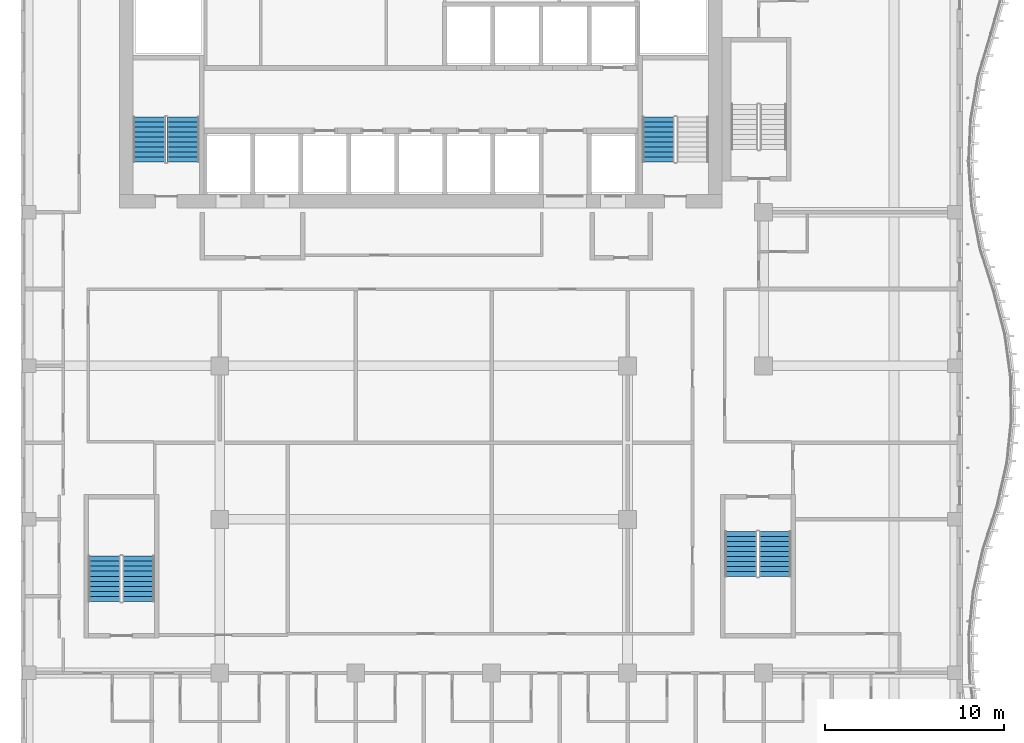
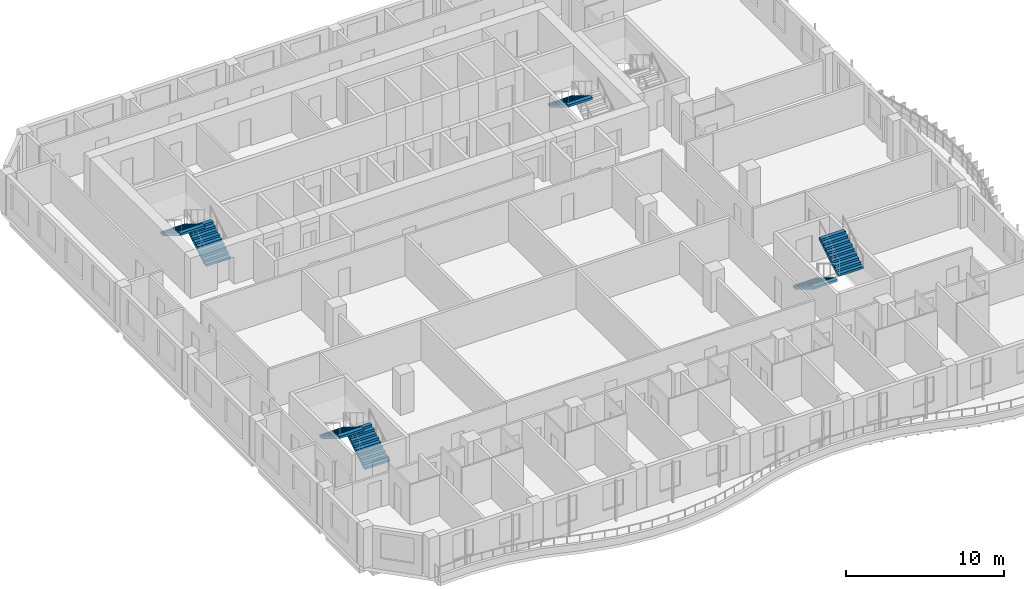
# One storey, part 12 of 22: 7 stair flights, 4 elements without a shape of their own.
"""IFC4 building model written with IfcOpenShell, lengths in metres."""

from ifc_helpers import new_model, si_unit, direction, frame, origin, place, context, subcontext, project, spatial, triangles, source, transform, mapped, material, type_object, element, aggregate, save


model = new_model("IFC4")

# Units and contexts
model_context = context("Model", 3, precision=1e-05, world=origin(), true_north=direction((0.0, 1.0)))
body_context = subcontext(model_context, "Body", "Model", "MODEL_VIEW")
ifc_project = project(units=[si_unit("LENGTHUNIT", "METRE"), si_unit("AREAUNIT", "SQUARE_METRE"), si_unit("VOLUMEUNIT", "CUBIC_METRE"), si_unit("PLANEANGLEUNIT", "RADIAN"), si_unit("MASSUNIT", "GRAM", prefix="KILO")], contexts=[model_context])

# Site, building, storey
site_placement = place(None, origin())
site = spatial("IfcSite", under=ifc_project, at=site_placement, CompositionType="ELEMENT")
building_placement = place(site_placement, origin())
building = spatial("IfcBuilding", under=site, at=building_placement, Name="Kilnfold Tower and Market Hall", CompositionType="ELEMENT")
storey_placement = place(building_placement, frame((0.0, 0.0, 206.699951171875)))
storey = spatial("IfcBuildingStorey", under=building, at=storey_placement, Name="L50", CompositionType="ELEMENT", Elevation=206.699951171875)

# Stair, stair flights
ifc_material_1 = material(Name="Concrete C40/50", Category="concrete")
stair_type = type_object("IfcStairType", Name="CORE STAIR 1800", PredefinedType="HALF_TURN_STAIR", material=ifc_material_1)
stair_1_placement = place(storey_placement, origin())
stair_1 = element("IfcStair", 1, at=stair_1_placement, inside=storey, type_object=stair_type, Name="L50 ST1", PredefinedType="HALF_TURN_STAIR")
ifc_material_2 = material(Name="Concrete C40/50", Category="concrete")
stair_flight_type = type_object("IfcStairFlightType", Name="CORE STAIR FLIGHT 1800", PredefinedType="STRAIGHT", material=ifc_material_2)
shared_shape = source(origin(), body_context, "Body", "Tessellation", [
    triangles([(0.0, 0.89990234375, 0.0), (0.0, 0.78759765625, 0.0), (0.0, 0.675048828125, 0.0), (0.0, 0.5625, 0.0), (0.0, 0.449951171875, 0.0), (0.0, 0.33740234375, 0.0), (0.0, 0.22509765625, 0.0), (0.0, 0.112548828125, 0.0), (0.0, 0.0, 0.0), (0.0, -0.112548828125, 0.0), (0.0, -0.22509765625, 0.0), (0.0, -0.33740234375, 0.0), (0.0, -0.449951171875, 0.0), (0.0, -0.5625, 0.0), (0.0, -0.675048828125, 0.0), (0.0, -0.78759765625, 0.0), (0.0, -0.89990234375, 0.0), (0.0, 0.89990234375, 0.169921875), (0.0, 0.78759765625, 0.169921875), (0.0, 0.675048828125, 0.169921875), (0.0, 0.5625, 0.169921875), (0.0, 0.449951171875, 0.169921875), (0.0, 0.33740234375, 0.169921875), (0.0, 0.22509765625, 0.169921875), (0.0, 0.112548828125, 0.169921875), (0.0, 0.0, 0.169921875), (0.0, -0.112548828125, 0.169921875), (0.0, -0.22509765625, 0.169921875), (0.0, -0.33740234375, 0.169921875), (0.0, -0.449951171875, 0.169921875), (0.0, -0.5625, 0.169921875), (0.0, -0.675048828125, 0.169921875), (0.0, -0.78759765625, 0.169921875), (0.0, -0.89990234375, 0.169921875), (0.280029296875, 0.89990234375, 0.169921875), (0.280029296875, 0.78759765625, 0.169921875), (0.280029296875, 0.675048828125, 0.169921875), (0.280029296875, 0.5625, 0.169921875), (0.280029296875, 0.449951171875, 0.169921875), (0.280029296875, 0.33740234375, 0.169921875), (0.280029296875, 0.22509765625, 0.169921875), (0.280029296875, 0.112548828125, 0.169921875), (0.280029296875, 0.0, 0.169921875), (0.280029296875, -0.112548828125, 0.169921875), (0.280029296875, -0.22509765625, 0.169921875), (0.280029296875, -0.33740234375, 0.169921875), (0.280029296875, -0.449951171875, 0.169921875), (0.280029296875, -0.5625, 0.169921875), (0.280029296875, -0.675048828125, 0.169921875), (0.280029296875, -0.78759765625, 0.169921875), (0.280029296875, -0.89990234375, 0.169921875), (0.280029296875, 0.89990234375, 0.340087890625), (0.280029296875, 0.78759765625, 0.340087890625), (0.280029296875, 0.675048828125, 0.340087890625), (0.280029296875, 0.5625, 0.340087890625), (0.280029296875, 0.449951171875, 0.340087890625), (0.280029296875, 0.33740234375, 0.340087890625), (0.280029296875, 0.22509765625, 0.340087890625), (0.280029296875, 0.112548828125, 0.340087890625), (0.280029296875, 0.0, 0.340087890625), (0.280029296875, -0.112548828125, 0.340087890625), (0.280029296875, -0.22509765625, 0.340087890625), (0.280029296875, -0.33740234375, 0.340087890625), (0.280029296875, -0.449951171875, 0.340087890625), (0.280029296875, -0.5625, 0.340087890625), (0.280029296875, -0.675048828125, 0.340087890625), (0.280029296875, -0.78759765625, 0.340087890625), (0.280029296875, -0.89990234375, 0.340087890625), (0.56005859375, 0.89990234375, 0.340087890625), (0.56005859375, 0.78759765625, 0.340087890625), (0.56005859375, 0.675048828125, 0.340087890625), (0.56005859375, 0.5625, 0.340087890625), (0.56005859375, 0.449951171875, 0.340087890625), (0.56005859375, 0.33740234375, 0.340087890625), (0.56005859375, 0.22509765625, 0.340087890625), (0.56005859375, 0.112548828125, 0.340087890625), (0.56005859375, 0.0, 0.340087890625), (0.56005859375, -0.112548828125, 0.340087890625), (0.56005859375, -0.22509765625, 0.340087890625), (0.56005859375, -0.33740234375, 0.340087890625), (0.56005859375, -0.449951171875, 0.340087890625), (0.56005859375, -0.5625, 0.340087890625), (0.56005859375, -0.675048828125, 0.340087890625), (0.56005859375, -0.78759765625, 0.340087890625), (0.56005859375, -0.89990234375, 0.340087890625), (0.56005859375, 0.89990234375, 0.510009765625), (0.56005859375, 0.78759765625, 0.510009765625), (0.56005859375, 0.675048828125, 0.510009765625), (0.56005859375, 0.5625, 0.510009765625), (0.56005859375, 0.449951171875, 0.510009765625), (0.56005859375, 0.33740234375, 0.510009765625), (0.56005859375, 0.22509765625, 0.510009765625), (0.56005859375, 0.112548828125, 0.510009765625), (0.56005859375, 0.0, 0.510009765625), (0.56005859375, -0.112548828125, 0.510009765625), (0.56005859375, -0.22509765625, 0.510009765625), (0.56005859375, -0.33740234375, 0.510009765625), (0.56005859375, -0.449951171875, 0.510009765625), (0.56005859375, -0.5625, 0.510009765625), (0.56005859375, -0.675048828125, 0.510009765625), (0.56005859375, -0.78759765625, 0.510009765625), (0.56005859375, -0.89990234375, 0.510009765625), (0.840087890625, 0.89990234375, 0.510009765625), (0.840087890625, 0.78759765625, 0.510009765625), (0.840087890625, 0.675048828125, 0.510009765625), (0.840087890625, 0.5625, 0.510009765625), (0.840087890625, 0.449951171875, 0.510009765625), (0.840087890625, 0.33740234375, 0.510009765625), (0.840087890625, 0.22509765625, 0.510009765625), (0.840087890625, 0.112548828125, 0.510009765625), (0.840087890625, 0.0, 0.510009765625), (0.840087890625, -0.112548828125, 0.510009765625), (0.840087890625, -0.22509765625, 0.510009765625), (0.840087890625, -0.33740234375, 0.510009765625), (0.840087890625, -0.449951171875, 0.510009765625), (0.840087890625, -0.5625, 0.510009765625), (0.840087890625, -0.675048828125, 0.510009765625), (0.840087890625, -0.78759765625, 0.510009765625), (0.840087890625, -0.89990234375, 0.510009765625), (0.840087890625, 0.89990234375, 0.679931640625), (0.840087890625, 0.78759765625, 0.679931640625), (0.840087890625, 0.675048828125, 0.679931640625), (0.840087890625, 0.5625, 0.679931640625), (0.840087890625, 0.449951171875, 0.679931640625), (0.840087890625, 0.33740234375, 0.679931640625), (0.840087890625, 0.22509765625, 0.679931640625), (0.840087890625, 0.112548828125, 0.679931640625), (0.840087890625, 0.0, 0.679931640625), (0.840087890625, -0.112548828125, 0.679931640625), (0.840087890625, -0.22509765625, 0.679931640625), (0.840087890625, -0.33740234375, 0.679931640625), (0.840087890625, -0.449951171875, 0.679931640625), (0.840087890625, -0.5625, 0.679931640625), (0.840087890625, -0.675048828125, 0.679931640625), (0.840087890625, -0.78759765625, 0.679931640625), (0.840087890625, -0.89990234375, 0.679931640625), (1.1201171875, 0.89990234375, 0.679931640625), (1.1201171875, 0.78759765625, 0.679931640625), (1.1201171875, 0.675048828125, 0.679931640625), (1.1201171875, 0.5625, 0.679931640625), (1.1201171875, 0.449951171875, 0.679931640625), (1.1201171875, 0.33740234375, 0.679931640625), (1.1201171875, 0.22509765625, 0.679931640625), (1.1201171875, 0.112548828125, 0.679931640625), (1.1201171875, 0.0, 0.679931640625), (1.1201171875, -0.112548828125, 0.679931640625), (1.1201171875, -0.22509765625, 0.679931640625), (1.1201171875, -0.33740234375, 0.679931640625), (1.1201171875, -0.449951171875, 0.679931640625), (1.1201171875, -0.5625, 0.679931640625), (1.1201171875, -0.675048828125, 0.679931640625), (1.1201171875, -0.78759765625, 0.679931640625), (1.1201171875, -0.89990234375, 0.679931640625), (1.1201171875, 0.89990234375, 0.85009765625), (1.1201171875, 0.78759765625, 0.85009765625), (1.1201171875, 0.675048828125, 0.85009765625), (1.1201171875, 0.5625, 0.85009765625), (1.1201171875, 0.449951171875, 0.85009765625), (1.1201171875, 0.33740234375, 0.85009765625), (1.1201171875, 0.22509765625, 0.85009765625), (1.1201171875, 0.112548828125, 0.85009765625), (1.1201171875, 0.0, 0.85009765625), (1.1201171875, -0.112548828125, 0.85009765625), (1.1201171875, -0.22509765625, 0.85009765625), (1.1201171875, -0.33740234375, 0.85009765625), (1.1201171875, -0.449951171875, 0.85009765625), (1.1201171875, -0.5625, 0.85009765625), (1.1201171875, -0.675048828125, 0.85009765625), (1.1201171875, -0.78759765625, 0.85009765625), (1.1201171875, -0.89990234375, 0.85009765625), (1.39990234375, 0.89990234375, 0.85009765625), (1.39990234375, 0.78759765625, 0.85009765625), (1.39990234375, 0.675048828125, 0.85009765625), (1.39990234375, 0.5625, 0.85009765625), (1.39990234375, 0.449951171875, 0.85009765625), (1.39990234375, 0.33740234375, 0.85009765625), (1.39990234375, 0.22509765625, 0.85009765625), (1.39990234375, 0.112548828125, 0.85009765625), (1.39990234375, 0.0, 0.85009765625), (1.39990234375, -0.112548828125, 0.85009765625), (1.39990234375, -0.22509765625, 0.85009765625), (1.39990234375, -0.33740234375, 0.85009765625), (1.39990234375, -0.449951171875, 0.85009765625), (1.39990234375, -0.5625, 0.85009765625), (1.39990234375, -0.675048828125, 0.85009765625), (1.39990234375, -0.78759765625, 0.85009765625), (1.39990234375, -0.89990234375, 0.85009765625), (1.39990234375, 0.89990234375, 1.02001953125), (1.39990234375, 0.78759765625, 1.02001953125), (1.39990234375, 0.675048828125, 1.02001953125), (1.39990234375, 0.5625, 1.02001953125), (1.39990234375, 0.449951171875, 1.02001953125), (1.39990234375, 0.33740234375, 1.02001953125), (1.39990234375, 0.22509765625, 1.02001953125), (1.39990234375, 0.112548828125, 1.02001953125), (1.39990234375, 0.0, 1.02001953125), (1.39990234375, -0.112548828125, 1.02001953125), (1.39990234375, -0.22509765625, 1.02001953125), (1.39990234375, -0.33740234375, 1.02001953125), (1.39990234375, -0.449951171875, 1.02001953125), (1.39990234375, -0.5625, 1.02001953125), (1.39990234375, -0.675048828125, 1.02001953125), (1.39990234375, -0.78759765625, 1.02001953125), (1.39990234375, -0.89990234375, 1.02001953125), (1.679931640625, 0.89990234375, 1.02001953125), (1.679931640625, 0.78759765625, 1.02001953125), (1.679931640625, 0.675048828125, 1.02001953125), (1.679931640625, 0.5625, 1.02001953125), (1.679931640625, 0.449951171875, 1.02001953125), (1.679931640625, 0.33740234375, 1.02001953125), (1.679931640625, 0.22509765625, 1.02001953125), (1.679931640625, 0.112548828125, 1.02001953125), (1.679931640625, 0.0, 1.02001953125), (1.679931640625, -0.112548828125, 1.02001953125), (1.679931640625, -0.22509765625, 1.02001953125), (1.679931640625, -0.33740234375, 1.02001953125), (1.679931640625, -0.449951171875, 1.02001953125), (1.679931640625, -0.5625, 1.02001953125), (1.679931640625, -0.675048828125, 1.02001953125), (1.679931640625, -0.78759765625, 1.02001953125), (1.679931640625, -0.89990234375, 1.02001953125), (1.679931640625, 0.89990234375, 1.18994140625), (1.679931640625, 0.78759765625, 1.18994140625), (1.679931640625, 0.675048828125, 1.18994140625), (1.679931640625, 0.5625, 1.18994140625), (1.679931640625, 0.449951171875, 1.18994140625), (1.679931640625, 0.33740234375, 1.18994140625), (1.679931640625, 0.22509765625, 1.18994140625), (1.679931640625, 0.112548828125, 1.18994140625), (1.679931640625, 0.0, 1.18994140625), (1.679931640625, -0.112548828125, 1.18994140625), (1.679931640625, -0.22509765625, 1.18994140625), (1.679931640625, -0.33740234375, 1.18994140625), (1.679931640625, -0.449951171875, 1.18994140625), (1.679931640625, -0.5625, 1.18994140625), (1.679931640625, -0.675048828125, 1.18994140625), (1.679931640625, -0.78759765625, 1.18994140625), (1.679931640625, -0.89990234375, 1.18994140625), (1.9599609375, 0.89990234375, 1.18994140625), (1.9599609375, 0.78759765625, 1.18994140625), (1.9599609375, 0.675048828125, 1.18994140625), (1.9599609375, 0.5625, 1.18994140625), (1.9599609375, 0.449951171875, 1.18994140625), (1.9599609375, 0.33740234375, 1.18994140625), (1.9599609375, 0.22509765625, 1.18994140625), (1.9599609375, 0.112548828125, 1.18994140625), (1.9599609375, 0.0, 1.18994140625), (1.9599609375, -0.112548828125, 1.18994140625), (1.9599609375, -0.22509765625, 1.18994140625), (1.9599609375, -0.33740234375, 1.18994140625), (1.9599609375, -0.449951171875, 1.18994140625), (1.9599609375, -0.5625, 1.18994140625), (1.9599609375, -0.675048828125, 1.18994140625), (1.9599609375, -0.78759765625, 1.18994140625), (1.9599609375, -0.89990234375, 1.18994140625), (1.9599609375, 0.89990234375, 1.360107421875), (1.9599609375, 0.78759765625, 1.360107421875), (1.9599609375, 0.675048828125, 1.360107421875), (1.9599609375, 0.5625, 1.360107421875), (1.9599609375, 0.449951171875, 1.360107421875), (1.9599609375, 0.33740234375, 1.360107421875), (1.9599609375, 0.22509765625, 1.360107421875), (1.9599609375, 0.112548828125, 1.360107421875), (1.9599609375, 0.0, 1.360107421875), (1.9599609375, -0.112548828125, 1.360107421875), (1.9599609375, -0.22509765625, 1.360107421875), (1.9599609375, -0.33740234375, 1.360107421875), (1.9599609375, -0.449951171875, 1.360107421875), (1.9599609375, -0.5625, 1.360107421875), (1.9599609375, -0.675048828125, 1.360107421875), (1.9599609375, -0.78759765625, 1.360107421875), (1.9599609375, -0.89990234375, 1.360107421875), (2.239990234375, 0.89990234375, 1.360107421875), (2.239990234375, 0.78759765625, 1.360107421875), (2.239990234375, 0.675048828125, 1.360107421875), (2.239990234375, 0.5625, 1.360107421875), (2.239990234375, 0.449951171875, 1.360107421875), (2.239990234375, 0.33740234375, 1.360107421875), (2.239990234375, 0.22509765625, 1.360107421875), (2.239990234375, 0.112548828125, 1.360107421875), (2.239990234375, 0.0, 1.360107421875), (2.239990234375, -0.112548828125, 1.360107421875), (2.239990234375, -0.22509765625, 1.360107421875), (2.239990234375, -0.33740234375, 1.360107421875), (2.239990234375, -0.449951171875, 1.360107421875), (2.239990234375, -0.5625, 1.360107421875), (2.239990234375, -0.675048828125, 1.360107421875), (2.239990234375, -0.78759765625, 1.360107421875), (2.239990234375, -0.89990234375, 1.360107421875), (2.239990234375, 0.89990234375, 1.530029296875), (2.239990234375, 0.78759765625, 1.530029296875), (2.239990234375, 0.675048828125, 1.530029296875), (2.239990234375, 0.5625, 1.530029296875), (2.239990234375, 0.449951171875, 1.530029296875), (2.239990234375, 0.33740234375, 1.530029296875), (2.239990234375, 0.22509765625, 1.530029296875), (2.239990234375, 0.112548828125, 1.530029296875), (2.239990234375, 0.0, 1.530029296875), (2.239990234375, -0.112548828125, 1.530029296875), (2.239990234375, -0.22509765625, 1.530029296875), (2.239990234375, -0.33740234375, 1.530029296875), (2.239990234375, -0.449951171875, 1.530029296875), (2.239990234375, -0.5625, 1.530029296875), (2.239990234375, -0.675048828125, 1.530029296875), (2.239990234375, -0.78759765625, 1.530029296875), (2.239990234375, -0.89990234375, 1.530029296875), (2.52001953125, 0.89990234375, 1.530029296875), (2.52001953125, 0.78759765625, 1.530029296875), (2.52001953125, 0.675048828125, 1.530029296875), (2.52001953125, 0.5625, 1.530029296875), (2.52001953125, 0.449951171875, 1.530029296875), (2.52001953125, 0.33740234375, 1.530029296875), (2.52001953125, 0.22509765625, 1.530029296875), (2.52001953125, 0.112548828125, 1.530029296875), (2.52001953125, 0.0, 1.530029296875), (2.52001953125, -0.112548828125, 1.530029296875), (2.52001953125, -0.22509765625, 1.530029296875), (2.52001953125, -0.33740234375, 1.530029296875), (2.52001953125, -0.449951171875, 1.530029296875), (2.52001953125, -0.5625, 1.530029296875), (2.52001953125, -0.675048828125, 1.530029296875), (2.52001953125, -0.78759765625, 1.530029296875), (2.52001953125, -0.89990234375, 1.530029296875), (2.52001953125, 0.89990234375, 1.354736328125), (2.52001953125, 0.78759765625, 1.354736328125), (2.52001953125, 0.675048828125, 1.354736328125), (2.52001953125, 0.5625, 1.354736328125), (2.52001953125, 0.449951171875, 1.354736328125), (2.52001953125, 0.33740234375, 1.354736328125), (2.52001953125, 0.22509765625, 1.354736328125), (2.52001953125, 0.112548828125, 1.354736328125), (2.52001953125, 0.0, 1.354736328125), (2.52001953125, -0.112548828125, 1.354736328125), (2.52001953125, -0.22509765625, 1.354736328125), (2.52001953125, -0.33740234375, 1.354736328125), (2.52001953125, -0.449951171875, 1.354736328125), (2.52001953125, -0.5625, 1.354736328125), (2.52001953125, -0.675048828125, 1.354736328125), (2.52001953125, -0.78759765625, 1.354736328125), (2.52001953125, -0.89990234375, 1.354736328125), (0.288818359375, 0.89990234375, 0.0), (0.288818359375, 0.78759765625, 0.0), (0.288818359375, 0.675048828125, 0.0), (0.288818359375, 0.5625, 0.0), (0.288818359375, 0.449951171875, 0.0), (0.288818359375, 0.33740234375, 0.0), (0.288818359375, 0.22509765625, 0.0), (0.288818359375, 0.112548828125, 0.0), (0.288818359375, 0.0, 0.0), (0.288818359375, -0.112548828125, 0.0), (0.288818359375, -0.22509765625, 0.0), (0.288818359375, -0.33740234375, 0.0), (0.288818359375, -0.449951171875, 0.0), (0.288818359375, -0.5625, 0.0), (0.288818359375, -0.675048828125, 0.0), (0.288818359375, -0.78759765625, 0.0), (0.288818359375, -0.89990234375, 0.0)], [[1, 324, 341], [17, 357, 340], [324, 290, 307], [340, 323, 306], [324, 273, 290], [340, 306, 289], [324, 256, 273], [340, 289, 272], [324, 239, 256], [340, 272, 255], [239, 205, 222], [255, 238, 221], [324, 205, 239], [340, 255, 221], [205, 171, 188], [221, 204, 187], [324, 171, 205], [340, 221, 187], [171, 137, 154], [187, 170, 153], [324, 137, 171], [340, 187, 153], [137, 103, 120], [153, 136, 119], [324, 103, 137], [340, 153, 119], [103, 69, 86], [119, 102, 85], [324, 69, 103], [340, 119, 85], [69, 35, 52], [85, 68, 51], [324, 35, 69], [340, 85, 51], [1, 35, 324], [17, 340, 51], [35, 1, 18], [51, 34, 17], [1, 19, 18], [1, 2, 19], [2, 20, 19], [2, 3, 20], [3, 21, 20], [3, 4, 21], [4, 22, 21], [4, 5, 22], [5, 23, 22], [5, 6, 23], [6, 24, 23], [6, 7, 24], [7, 25, 24], [7, 8, 25], [8, 26, 25], [8, 9, 26], [9, 27, 26], [9, 10, 27], [10, 28, 27], [10, 11, 28], [11, 29, 28], [11, 12, 29], [12, 30, 29], [12, 13, 30], [13, 31, 30], [13, 14, 31], [14, 32, 31], [14, 15, 32], [15, 33, 32], [15, 16, 33], [16, 34, 33], [16, 17, 34], [18, 36, 35], [18, 19, 36], [19, 37, 36], [19, 20, 37], [20, 38, 37], [20, 21, 38], [21, 39, 38], [21, 22, 39], [22, 40, 39], [22, 23, 40], [23, 41, 40], [23, 24, 41], [24, 42, 41], [24, 25, 42], [25, 43, 42], [25, 26, 43], [26, 44, 43], [26, 27, 44], [27, 45, 44], [27, 28, 45], [28, 46, 45], [28, 29, 46], [29, 47, 46], [29, 30, 47], [30, 48, 47], [30, 31, 48], [31, 49, 48], [31, 32, 49], [32, 50, 49], [32, 33, 50], [33, 51, 50], [33, 34, 51], [35, 53, 52], [35, 36, 53], [36, 54, 53], [36, 37, 54], [37, 55, 54], [37, 38, 55], [38, 56, 55], [38, 39, 56], [39, 57, 56], [39, 40, 57], [40, 58, 57], [40, 41, 58], [41, 59, 58], [41, 42, 59], [42, 60, 59], [42, 43, 60], [43, 61, 60], [43, 44, 61], [44, 62, 61], [44, 45, 62], [45, 63, 62], [45, 46, 63], [46, 64, 63], [46, 47, 64], [47, 65, 64], [47, 48, 65], [48, 66, 65], [48, 49, 66], [49, 67, 66], [49, 50, 67], [50, 68, 67], [50, 51, 68], [52, 70, 69], [52, 53, 70], [53, 71, 70], [53, 54, 71], [54, 72, 71], [54, 55, 72], [55, 73, 72], [55, 56, 73], [56, 74, 73], [56, 57, 74], [57, 75, 74], [57, 58, 75], [58, 76, 75], [58, 59, 76], [59, 77, 76], [59, 60, 77], [60, 78, 77], [60, 61, 78], [61, 79, 78], [61, 62, 79], [62, 80, 79], [62, 63, 80], [63, 81, 80], [63, 64, 81], [64, 82, 81], [64, 65, 82], [65, 83, 82], [65, 66, 83], [66, 84, 83], [66, 67, 84], [67, 85, 84], [67, 68, 85], [69, 87, 86], [69, 70, 87], [70, 88, 87], [70, 71, 88], [71, 89, 88], [71, 72, 89], [72, 90, 89], [72, 73, 90], [73, 91, 90], [73, 74, 91], [74, 92, 91], [74, 75, 92], [75, 93, 92], [75, 76, 93], [76, 94, 93], [76, 77, 94], [77, 95, 94], [77, 78, 95], [78, 96, 95], [78, 79, 96], [79, 97, 96], [79, 80, 97], [80, 98, 97], [80, 81, 98], [81, 99, 98], [81, 82, 99], [82, 100, 99], [82, 83, 100], [83, 101, 100], [83, 84, 101], [84, 102, 101], [84, 85, 102], [86, 104, 103], [86, 87, 104], [87, 105, 104], [87, 88, 105], [88, 106, 105], [88, 89, 106], [89, 107, 106], [89, 90, 107], [90, 108, 107], [90, 91, 108], [91, 109, 108], [91, 92, 109], [92, 110, 109], [92, 93, 110], [93, 111, 110], [93, 94, 111], [94, 112, 111], [94, 95, 112], [95, 113, 112], [95, 96, 113], [96, 114, 113], [96, 97, 114], [97, 115, 114], [97, 98, 115], [98, 116, 115], [98, 99, 116], [99, 117, 116], [99, 100, 117], [100, 118, 117], [100, 101, 118], [101, 119, 118], [101, 102, 119], [103, 121, 120], [103, 104, 121], [104, 122, 121], [104, 105, 122], [105, 123, 122], [105, 106, 123], [106, 124, 123], [106, 107, 124], [107, 125, 124], [107, 108, 125], [108, 126, 125], [108, 109, 126], [109, 127, 126], [109, 110, 127], [110, 128, 127], [110, 111, 128], [111, 129, 128], [111, 112, 129], [112, 130, 129], [112, 113, 130], [113, 131, 130], [113, 114, 131], [114, 132, 131], [114, 115, 132], [115, 133, 132], [115, 116, 133], [116, 134, 133], [116, 117, 134], [117, 135, 134], [117, 118, 135], [118, 136, 135], [118, 119, 136], [120, 138, 137], [120, 121, 138], [121, 139, 138], [121, 122, 139], [122, 140, 139], [122, 123, 140], [123, 141, 140], [123, 124, 141], [124, 142, 141], [124, 125, 142], [125, 143, 142], [125, 126, 143], [126, 144, 143], [126, 127, 144], [127, 145, 144], [127, 128, 145], [128, 146, 145], [128, 129, 146], [129, 147, 146], [129, 130, 147], [130, 148, 147], [130, 131, 148], [131, 149, 148], [131, 132, 149], [132, 150, 149], [132, 133, 150], [133, 151, 150], [133, 134, 151], [134, 152, 151], [134, 135, 152], [135, 153, 152], [135, 136, 153], [137, 155, 154], [137, 138, 155], [138, 156, 155], [138, 139, 156], [139, 157, 156], [139, 140, 157], [140, 158, 157], [140, 141, 158], [141, 159, 158], [141, 142, 159], [142, 160, 159], [142, 143, 160], [143, 161, 160], [143, 144, 161], [144, 162, 161], [144, 145, 162], [145, 163, 162], [145, 146, 163], [146, 164, 163], [146, 147, 164], [147, 165, 164], [147, 148, 165], [148, 166, 165], [148, 149, 166], [149, 167, 166], [149, 150, 167], [150, 168, 167], [150, 151, 168], [151, 169, 168], [151, 152, 169], [152, 170, 169], [152, 153, 170], [154, 172, 171], [154, 155, 172], [155, 173, 172], [155, 156, 173], [156, 174, 173], [156, 157, 174], [157, 175, 174], [157, 158, 175], [158, 176, 175], [158, 159, 176], [159, 177, 176], [159, 160, 177], [160, 178, 177], [160, 161, 178], [161, 179, 178], [161, 162, 179], [162, 180, 179], [162, 163, 180], [163, 181, 180], [163, 164, 181], [164, 182, 181], [164, 165, 182], [165, 183, 182], [165, 166, 183], [166, 184, 183], [166, 167, 184], [167, 185, 184], [167, 168, 185], [168, 186, 185], [168, 169, 186], [169, 187, 186], [169, 170, 187], [171, 189, 188], [171, 172, 189], [172, 190, 189], [172, 173, 190], [173, 191, 190], [173, 174, 191], [174, 192, 191], [174, 175, 192], [175, 193, 192], [175, 176, 193], [176, 194, 193], [176, 177, 194], [177, 195, 194], [177, 178, 195], [178, 196, 195], [178, 179, 196], [179, 197, 196], [179, 180, 197], [180, 198, 197], [180, 181, 198], [181, 199, 198], [181, 182, 199], [182, 200, 199], [182, 183, 200], [183, 201, 200], [183, 184, 201], [184, 202, 201], [184, 185, 202], [185, 203, 202], [185, 186, 203], [186, 204, 203], [186, 187, 204], [188, 206, 205], [188, 189, 206], [189, 207, 206], [189, 190, 207], [190, 208, 207], [190, 191, 208], [191, 209, 208], [191, 192, 209], [192, 210, 209], [192, 193, 210], [193, 211, 210], [193, 194, 211], [194, 212, 211], [194, 195, 212], [195, 213, 212], [195, 196, 213], [196, 214, 213], [196, 197, 214], [197, 215, 214], [197, 198, 215], [198, 216, 215], [198, 199, 216], [199, 217, 216], [199, 200, 217], [200, 218, 217], [200, 201, 218], [201, 219, 218], [201, 202, 219], [202, 220, 219], [202, 203, 220], [203, 221, 220], [203, 204, 221], [205, 223, 222], [205, 206, 223], [206, 224, 223], [206, 207, 224], [207, 225, 224], [207, 208, 225], [208, 226, 225], [208, 209, 226], [209, 227, 226], [209, 210, 227], [210, 228, 227], [210, 211, 228], [211, 229, 228], [211, 212, 229], [212, 230, 229], [212, 213, 230], [213, 231, 230], [213, 214, 231], [214, 232, 231], [214, 215, 232], [215, 233, 232], [215, 216, 233], [216, 234, 233], [216, 217, 234], [217, 235, 234], [217, 218, 235], [218, 236, 235], [218, 219, 236], [219, 237, 236], [219, 220, 237], [220, 238, 237], [220, 221, 238], [222, 240, 239], [222, 223, 240], [223, 241, 240], [223, 224, 241], [224, 242, 241], [224, 225, 242], [225, 243, 242], [225, 226, 243], [226, 244, 243], [226, 227, 244], [227, 245, 244], [227, 228, 245], [228, 246, 245], [228, 229, 246], [229, 247, 246], [229, 230, 247], [230, 248, 247], [230, 231, 248], [231, 249, 248], [231, 232, 249], [232, 250, 249], [232, 233, 250], [233, 251, 250], [233, 234, 251], [234, 252, 251], [234, 235, 252], [235, 253, 252], [235, 236, 253], [236, 254, 253], [236, 237, 254], [237, 255, 254], [237, 238, 255], [239, 257, 256], [239, 240, 257], [240, 258, 257], [240, 241, 258], [241, 259, 258], [241, 242, 259], [242, 260, 259], [242, 243, 260], [243, 261, 260], [243, 244, 261], [244, 262, 261], [244, 245, 262], [245, 263, 262], [245, 246, 263], [246, 264, 263], [246, 247, 264], [247, 265, 264], [247, 248, 265], [248, 266, 265], [248, 249, 266], [249, 267, 266], [249, 250, 267], [250, 268, 267], [250, 251, 268], [251, 269, 268], [251, 252, 269], [252, 270, 269], [252, 253, 270], [253, 271, 270], [253, 254, 271], [254, 272, 271], [254, 255, 272], [256, 274, 273], [256, 257, 274], [257, 275, 274], [257, 258, 275], [258, 276, 275], [258, 259, 276], [259, 277, 276], [259, 260, 277], [260, 278, 277], [260, 261, 278], [261, 279, 278], [261, 262, 279], [262, 280, 279], [262, 263, 280], [263, 281, 280], [263, 264, 281], [264, 282, 281], [264, 265, 282], [265, 283, 282], [265, 266, 283], [266, 284, 283], [266, 267, 284], [267, 285, 284], [267, 268, 285], [268, 286, 285], [268, 269, 286], [269, 287, 286], [269, 270, 287], [270, 288, 287], [270, 271, 288], [271, 289, 288], [271, 272, 289], [273, 291, 290], [273, 274, 291], [274, 292, 291], [274, 275, 292], [275, 293, 292], [275, 276, 293], [276, 294, 293], [276, 277, 294], [277, 295, 294], [277, 278, 295], [278, 296, 295], [278, 279, 296], [279, 297, 296], [279, 280, 297], [280, 298, 297], [280, 281, 298], [281, 299, 298], [281, 282, 299], [282, 300, 299], [282, 283, 300], [283, 301, 300], [283, 284, 301], [284, 302, 301], [284, 285, 302], [285, 303, 302], [285, 286, 303], [286, 304, 303], [286, 287, 304], [287, 305, 304], [287, 288, 305], [288, 306, 305], [288, 289, 306], [290, 308, 307], [290, 291, 308], [291, 309, 308], [291, 292, 309], [292, 310, 309], [292, 293, 310], [293, 311, 310], [293, 294, 311], [294, 312, 311], [294, 295, 312], [295, 313, 312], [295, 296, 313], [296, 314, 313], [296, 297, 314], [297, 315, 314], [297, 298, 315], [298, 316, 315], [298, 299, 316], [299, 317, 316], [299, 300, 317], [300, 318, 317], [300, 301, 318], [301, 319, 318], [301, 302, 319], [302, 320, 319], [302, 303, 320], [303, 321, 320], [303, 304, 321], [304, 322, 321], [304, 305, 322], [305, 323, 322], [305, 306, 323], [307, 325, 324], [307, 308, 325], [308, 326, 325], [308, 309, 326], [309, 327, 326], [309, 310, 327], [310, 328, 327], [310, 311, 328], [311, 329, 328], [311, 312, 329], [312, 330, 329], [312, 313, 330], [313, 331, 330], [313, 314, 331], [314, 332, 331], [314, 315, 332], [315, 333, 332], [315, 316, 333], [316, 334, 333], [316, 317, 334], [317, 335, 334], [317, 318, 335], [318, 336, 335], [318, 319, 336], [319, 337, 336], [319, 320, 337], [320, 338, 337], [320, 321, 338], [321, 339, 338], [321, 322, 339], [322, 340, 339], [322, 323, 340], [324, 342, 341], [324, 325, 342], [325, 343, 342], [325, 326, 343], [326, 344, 343], [326, 327, 344], [327, 345, 344], [327, 328, 345], [328, 346, 345], [328, 329, 346], [329, 347, 346], [329, 330, 347], [330, 348, 347], [330, 331, 348], [331, 349, 348], [331, 332, 349], [332, 350, 349], [332, 333, 350], [333, 351, 350], [333, 334, 351], [334, 352, 351], [334, 335, 352], [335, 353, 352], [335, 336, 353], [336, 354, 353], [336, 337, 354], [337, 355, 354], [337, 338, 355], [338, 356, 355], [338, 339, 356], [339, 357, 356], [339, 340, 357], [341, 2, 1], [341, 342, 2], [342, 3, 2], [342, 343, 3], [343, 4, 3], [343, 344, 4], [344, 5, 4], [344, 345, 5], [345, 6, 5], [345, 346, 6], [346, 7, 6], [346, 347, 7], [347, 8, 7], [347, 348, 8], [348, 9, 8], [348, 349, 9], [349, 10, 9], [349, 350, 10], [350, 11, 10], [350, 351, 11], [351, 12, 11], [351, 352, 12], [352, 13, 12], [352, 353, 13], [353, 14, 13], [353, 354, 14], [354, 15, 14], [354, 355, 15], [355, 16, 15], [355, 356, 16], [356, 17, 16], [356, 357, 17]], closed=True),
])
stair_flight_1_placement = place(storey_placement, frame((-12.199951171875, 10.800048828125, 0.0), z_axis=(0.0, 0.0, 1.0), x_axis=(0.0, 1.0, 0.0)))
stair_flight_1 = element("IfcStairFlight", 2, at=stair_flight_1_placement, type_object=stair_flight_type, Name="ST1 flight 1", NumberOfRisers=10, NumberOfTreads=9, PredefinedType="STRAIGHT", RiserHeight=0.17, TreadLength=0.28, context=body_context, shape_type="MappedRepresentation", body=[
    mapped(shared_shape, transform((0.0, 0.0, 0.0))),
])
stair_flight_2_placement = place(storey_placement, frame((-14.10009765625, 13.320068359375, 1.699951171875), z_axis=(0.0, 0.0, 1.0), x_axis=(0.0, -1.0, 0.0)))
stair_flight_2 = element("IfcStairFlight", 3, at=stair_flight_2_placement, type_object=stair_flight_type, Name="ST1 flight 2", NumberOfRisers=10, NumberOfTreads=9, PredefinedType="STRAIGHT", RiserHeight=0.17, TreadLength=0.28, context=body_context, shape_type="MappedRepresentation", body=[
    mapped(shared_shape, transform((0.0, 0.0, 0.0))),
])
aggregate(stair_1, [stair_flight_1, stair_flight_2])

# Stair, stair flight
stair_2_placement = place(storey_placement, origin())
stair_2 = element("IfcStair", 4, at=stair_2_placement, inside=storey, type_object=stair_type, Name="L50 ST2", PredefinedType="HALF_TURN_STAIR")
stair_flight_3_placement = place(storey_placement, frame((14.300048828125, 13.320068359375, 1.699951171875), z_axis=(0.0, 0.0, 1.0), x_axis=(0.0, -1.0, 0.0)))
stair_flight_3 = element("IfcStairFlight", 5, at=stair_flight_3_placement, type_object=stair_flight_type, Name="ST2 flight 2", NumberOfRisers=10, NumberOfTreads=9, PredefinedType="STRAIGHT", RiserHeight=0.17, TreadLength=0.28, context=body_context, shape_type="MappedRepresentation", body=[
    mapped(shared_shape, transform((0.0, 0.0, 0.0))),
])
aggregate(stair_2, [stair_flight_3])

# Stair, stair flights
stair_3_placement = place(storey_placement, origin())
stair_3 = element("IfcStair", 6, at=stair_3_placement, inside=storey, type_object=stair_type, Name="L50 ST3", PredefinedType="HALF_TURN_STAIR")
stair_flight_4_placement = place(storey_placement, frame((-14.699951171875, -13.699951171875, 0.0), z_axis=(0.0, 0.0, 1.0), x_axis=(0.0, 1.0, 0.0)))
stair_flight_4 = element("IfcStairFlight", 7, at=stair_flight_4_placement, type_object=stair_flight_type, Name="ST3 flight 1", NumberOfRisers=10, NumberOfTreads=9, PredefinedType="STRAIGHT", RiserHeight=0.17, TreadLength=0.28, context=body_context, shape_type="MappedRepresentation", body=[
    mapped(shared_shape, transform((0.0, 0.0, 0.0))),
])
stair_flight_5_placement = place(storey_placement, frame((-16.60009765625, -11.179931640625, 1.699951171875), z_axis=(0.0, 0.0, 1.0), x_axis=(0.0, -1.0, 0.0)))
stair_flight_5 = element("IfcStairFlight", 8, at=stair_flight_5_placement, type_object=stair_flight_type, Name="ST3 flight 2", NumberOfRisers=10, NumberOfTreads=9, PredefinedType="STRAIGHT", RiserHeight=0.17, TreadLength=0.28, context=body_context, shape_type="MappedRepresentation", body=[
    mapped(shared_shape, transform((0.0, 0.0, 0.0))),
])
aggregate(stair_3, [stair_flight_4, stair_flight_5])

stair_4_placement = place(storey_placement, origin())
stair_4 = element("IfcStair", 9, at=stair_4_placement, inside=storey, type_object=stair_type, Name="L50 ST4", PredefinedType="HALF_TURN_STAIR")
stair_flight_6_placement = place(storey_placement, frame((18.89990234375, -9.800048828125, 0.0), z_axis=(0.0, 0.0, 1.0), x_axis=(0.0, -1.0, 0.0)))
stair_flight_6 = element("IfcStairFlight", 10, at=stair_flight_6_placement, type_object=stair_flight_type, Name="ST4 flight 1", NumberOfRisers=10, NumberOfTreads=9, PredefinedType="STRAIGHT", RiserHeight=0.17, TreadLength=0.28, context=body_context, shape_type="MappedRepresentation", body=[
    mapped(shared_shape, transform((0.0, 0.0, 0.0))),
])
stair_flight_7_placement = place(storey_placement, frame((20.800048828125, -12.320068359375, 1.699951171875), z_axis=(0.0, 0.0, 1.0), x_axis=(0.0, 1.0, 0.0)))
stair_flight_7 = element("IfcStairFlight", 11, at=stair_flight_7_placement, type_object=stair_flight_type, Name="ST4 flight 2", NumberOfRisers=10, NumberOfTreads=9, PredefinedType="STRAIGHT", RiserHeight=0.17, TreadLength=0.28, context=body_context, shape_type="MappedRepresentation", body=[
    mapped(shared_shape, transform((0.0, 0.0, 0.0))),
])
aggregate(stair_4, [stair_flight_6, stair_flight_7])

save(model, "model.ifc")
